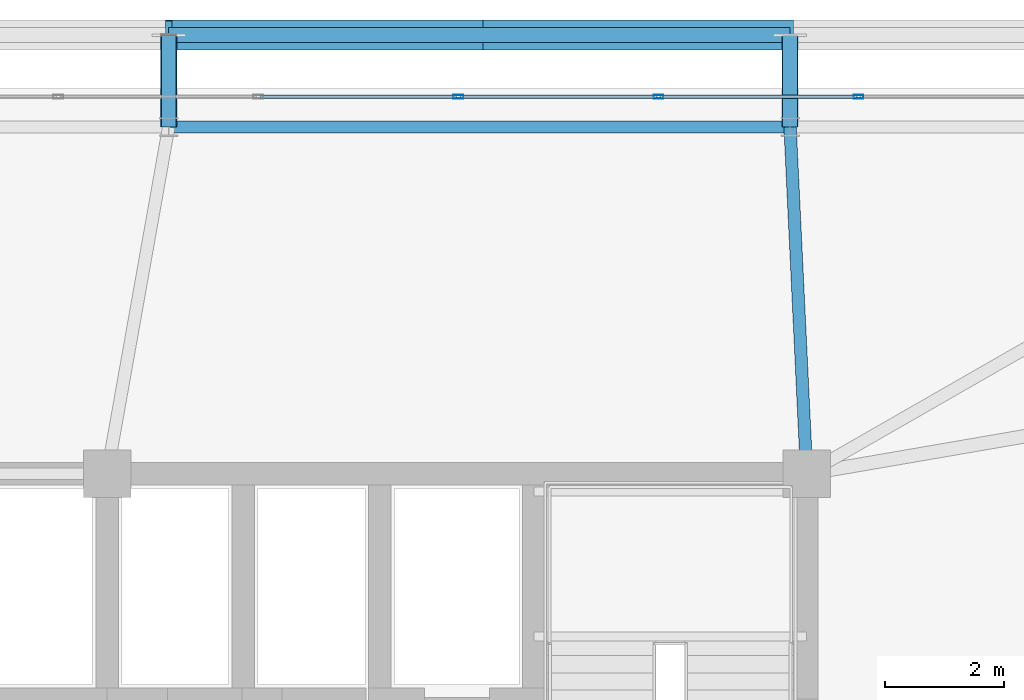
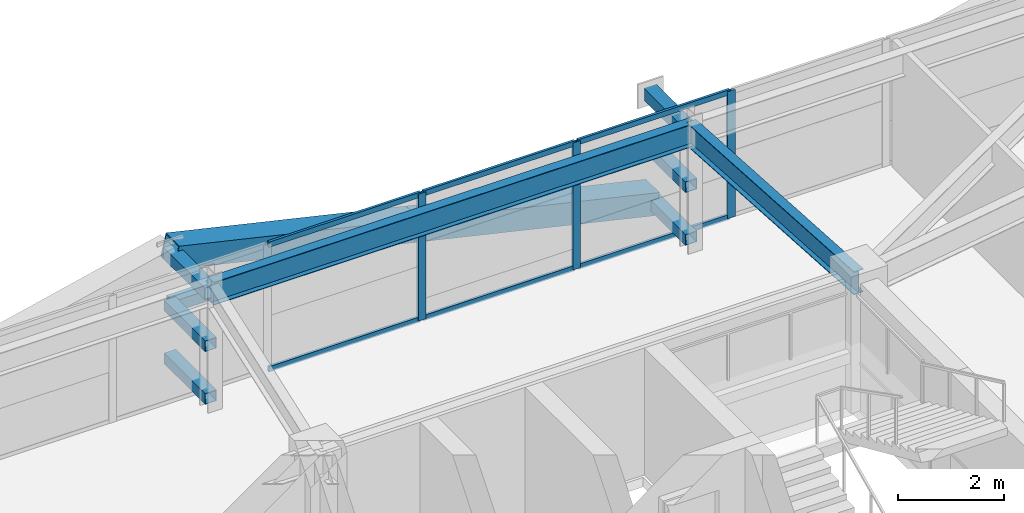
# One storey, part 38 of 58: 18 members, 2 beams, 1 element without a shape of its own.
"""IFC4 building model written with IfcOpenShell, lengths in metres."""

from ifc_helpers import new_model, si_unit, direction, frame, origin, origin_2d, place, context, subcontext, project, spatial, hollow_rectangle, i_section, extrude, source, transform, mapped, material, layer, layer_set, material_profile, profile_set, type_object, element, aggregate, save


model = new_model("IFC4")

# Units and contexts
model_context = context("Model", 3, precision=1e-05, world=origin(), true_north=direction((0.0, 1.0)))
body_context = subcontext(model_context, "Body", "Model", "MODEL_VIEW")
ifc_project = project(units=[si_unit("LENGTHUNIT", "METRE"), si_unit("AREAUNIT", "SQUARE_METRE"), si_unit("VOLUMEUNIT", "CUBIC_METRE"), si_unit("PLANEANGLEUNIT", "RADIAN"), si_unit("MASSUNIT", "GRAM", prefix="KILO")], contexts=[model_context])

# Site, building, storey
site_placement = place(None, origin())
site = spatial("IfcSite", under=ifc_project, at=site_placement, CompositionType="ELEMENT")
building_placement = place(site_placement, origin())
building = spatial("IfcBuilding", under=site, at=building_placement, Name="Taldren Reach Tower", CompositionType="ELEMENT")
storey_placement = place(building_placement, frame((0.0, 0.0, 35.699951171875)))
storey = spatial("IfcBuildingStorey", under=building, at=storey_placement, Name="L10", CompositionType="ELEMENT", Elevation=35.699951171875)

# Beams
ifc_material_1 = material(Name="Steel Gr 350 (350PLUS)", Category="steel")
ifc_material_profile_1 = material_profile(ifc_material_1, i_section(OverallWidth=0.208984375, OverallDepth=0.528076171875, WebThickness=0.009521484375, FlangeThickness=0.01318359375, at=origin_2d()), Name="530UB82.0")
ifc_profile_set_1 = profile_set([ifc_material_profile_1], Name="Steel Gr 350 (350PLUS)")
beam_type_1 = type_object("IfcBeamType", Name="SP-UB530B", PredefinedType="SPANDREL", material=ifc_profile_set_1)
shared_shape_1 = source(origin(), body_context, "Body", "SweptSolid", [
    extrude(i_section(OverallWidth=0.208984375, OverallDepth=0.528076171875, WebThickness=0.009521484375, FlangeThickness=0.01318359375, at=origin_2d()), origin(), (0.0, 0.0, 1.0), 10.47998046875),
])
beam_1_placement = place(storey_placement, frame((50.719970703125, 37.85009765625, 2.666015625), z_axis=(-1.0, 0.0, 0.0), x_axis=(0.0, -1.0, 0.0)))
element("IfcBeam", 1, at=beam_1_placement, inside=storey, type_object=beam_type_1, Name="Perimeter spandrel B1 N5-N4 L10", PredefinedType="SPANDREL", context=body_context, shape_type="MappedRepresentation", body=[
    mapped(shared_shape_1, transform((0.0, 0.0, 0.0), scale=1.0)),
])
ifc_material_profile_2 = material_profile(ifc_material_1, i_section(OverallWidth=0.208984375, OverallDepth=0.532958984375, WebThickness=0.01025390625, FlangeThickness=0.015625, at=origin_2d()), Name="530UB92.4")
ifc_profile_set_2 = profile_set([ifc_material_profile_2], Name="Steel Gr 350 (350PLUS)")
beam_type_2 = type_object("IfcBeamType", Name="BM-UB530A", PredefinedType="BEAM", material=ifc_profile_set_2)
shared_shape_2 = source(origin(), body_context, "Body", "SweptSolid", [
    extrude(i_section(OverallWidth=0.208984375, OverallDepth=0.532958984375, WebThickness=0.01025390625, FlangeThickness=0.015625, at=origin_2d()), origin(), (0.0, 0.0, 1.0), 5.856689453125),
])
beam_2_placement = place(storey_placement, frame((51.0, 32.0, 2.66357421875), z_axis=(-0.047812711672, 0.998856318297, 0.0), x_axis=(-0.998856318297, -0.047812711672, 0.0)))
element("IfcBeam", 2, at=beam_2_placement, inside=storey, type_object=beam_type_2, Name="Primary floor girder B1-N5 L10", PredefinedType="BEAM", context=body_context, shape_type="MappedRepresentation", body=[
    mapped(shared_shape_2, transform((0.0, 0.0, 0.0), scale=1.0)),
])

# Members
ifc_material_2 = material(Name="Steel Gr 450 (C450L0)", Category="steel")
ifc_material_profile_3 = material_profile(ifc_material_2, hollow_rectangle(XDim=0.27490234375, YDim=0.27490234375, WallThickness=0.00927734375, at=origin_2d()), Name="275x275x9.3SHS")
ifc_profile_set_3 = profile_set([ifc_material_profile_3], Name="Steel Gr 450 (C450L0)")
member_type_1 = type_object("IfcMemberType", Name="MB-TIE273", PredefinedType="STRUT", material=ifc_profile_set_3)
shared_shape_3 = source(origin(), body_context, "Body", "SweptSolid", [
    extrude(hollow_rectangle(XDim=0.27490234375, YDim=0.27490234375, WallThickness=0.00927734375, at=origin_2d()), origin(), (0.0, 0.0, 1.0), 1.5498046875),
])
for number, where, z_axis, x_axis, name in (
    (3, (40.239990234375, 37.85009765625, 2.650146484375), (0.0, 1.0, 0.0), (-1.0, 0.0, 0.0), "Exoskeleton diaphragm tie strut B1-N4 L10"),
    (4, (50.719970703125, 37.85009765625, 2.650146484375), (0.0, 1.0, 0.0), (-1.0, 0.0, 0.0), "Exoskeleton diaphragm tie strut B1-N5 L10"),
):
    element("IfcMember", number, at=place(storey_placement, frame(where, z_axis=z_axis, x_axis=x_axis)), inside=storey, type_object=member_type_1, Name=name, PredefinedType="STRUT", context=body_context, shape_type="MappedRepresentation", body=[
        mapped(shared_shape_3, transform((0.0, 0.0, 0.0), scale=1.0)),
    ])
ifc_material_profile_4 = material_profile(ifc_material_2, hollow_rectangle(XDim=0.510009765625, YDim=0.510009765625, WallThickness=0.02001953125, at=origin_2d()), Name="510x510x20.0SHS")
ifc_profile_set_4 = profile_set([ifc_material_profile_4], Name="Steel Gr 450 (C450L0)")
member_type_2 = type_object("IfcMemberType", Name="MB-EXO508", PredefinedType="BRACE", material=ifc_profile_set_4)
shared_shape_4 = source(origin(), body_context, "Body", "SweptSolid", [
    extrude(hollow_rectangle(XDim=0.510009765625, YDim=0.510009765625, WallThickness=0.02001953125, at=origin_2d()), origin(), (0.0, 0.0, 1.0), 5.37890625),
])
for number, where, z_axis, x_axis, name in (
    (5, (50.719970703125, 39.39990234375, 0.219970703125), (-0.97415197996, 0.0, 0.225893603143), (0.0, -1.0, 0.0), "Exoskeleton Diagrid Brace B1-N4 L10"),
    (6, (45.47998046875, 39.39990234375, 1.43505859375), (-0.97415197996, 0.0, 0.225893603143), (0.0, -1.0, 0.0), "Exoskeleton Diagrid Brace B1-N4 L10"),
):
    element("IfcMember", number, at=place(storey_placement, frame(where, z_axis=z_axis, x_axis=x_axis)), inside=storey, type_object=member_type_2, Name=name, PredefinedType="BRACE", context=body_context, shape_type="MappedRepresentation", body=[
        mapped(shared_shape_4, transform((0.0, 0.0, 0.0), scale=1.0)),
    ])
ifc_material_3 = material(Name="Steel Gr 350 (C350L0)", Category="steel")
ifc_material_profile_5 = material_profile(ifc_material_3, hollow_rectangle(XDim=0.25, YDim=0.25, WallThickness=0.010009765625, at=origin_2d()), Name="250x250x10.0SHS")
ifc_profile_set_5 = profile_set([ifc_material_profile_5], Name="Steel Gr 350 (C350L0)")
member_type_3 = type_object("IfcMemberType", Name="MB-POST250", PredefinedType="POST", material=ifc_profile_set_5)
shared_shape_5 = source(origin(), body_context, "Body", "SweptSolid", [
    extrude(hollow_rectangle(XDim=0.25, YDim=0.25, WallThickness=0.010009765625, at=origin_2d()), origin(), (0.0, 0.0, 1.0), 10.47998046875),
])
member_1_placement = place(storey_placement, frame((40.239990234375, 39.39990234375, 1.43505859375), z_axis=(1.0, 0.0, 0.0), x_axis=(0.0, 1.0, 0.0)))
element("IfcMember", 7, at=member_1_placement, inside=storey, type_object=member_type_3, Name="Exoskeleton mid-height ring chord B1-N4 L10", PredefinedType="POST", context=body_context, shape_type="MappedRepresentation", body=[
    mapped(shared_shape_5, transform((0.0, 0.0, 0.0), scale=1.0)),
])
shared_shape_6 = source(origin(), body_context, "Body", "SweptSolid", [
    extrude(hollow_rectangle(XDim=0.25, YDim=0.25, WallThickness=0.010009765625, at=origin_2d()), origin(), (0.0, 0.0, 1.0), 1.5498046875),
])
for number, where, z_axis, x_axis, name in (
    (8, (40.239990234375, 37.85009765625, 0.219970703125), (0.0, 1.0, 0.0), (-1.0, 0.0, 0.0), "Exoskeleton base diaphragm tie strut B1-N4 L10"),
    (9, (50.719970703125, 37.85009765625, 0.219970703125), (0.0, 1.0, 0.0), (-1.0, 0.0, 0.0), "Exoskeleton base diaphragm tie strut B1-N5 L10"),
    (10, (40.239990234375, 37.85009765625, 1.43505859375), (0.0, 1.0, 0.0), (-1.0, 0.0, 0.0), "Exoskeleton mid-tier diaphragm tie B1-N4 L10"),
    (11, (50.719970703125, 37.85009765625, 1.43505859375), (0.0, 1.0, 0.0), (-1.0, 0.0, 0.0), "Exoskeleton mid-tier diaphragm tie B1-N5 L10"),
):
    element("IfcMember", number, at=place(storey_placement, frame(where, z_axis=z_axis, x_axis=x_axis)), inside=storey, type_object=member_type_3, Name=name, PredefinedType="POST", context=body_context, shape_type="MappedRepresentation", body=[
        mapped(shared_shape_6, transform((0.0, 0.0, 0.0), scale=1.0)),
    ])

# Curtain wall, members
ifc_material_4 = material(Name="Aluminium and Low-E Glass Unitised System", Category="aluminium")
ifc_layer = layer(ifc_material_4, 0.159912109375)
ifc_layer_set = layer_set([ifc_layer], Name="Aluminium and Low-E Glass Unitised System")
curtain_wall_type = type_object("IfcCurtainWallType", Name="CW-SYS-2", PredefinedType="NOTDEFINED", material=ifc_layer_set)
curtain_wall_placement = place(storey_placement, origin())
curtain_wall = element("IfcCurtainWall", 12, at=curtain_wall_placement, inside=storey, type_object=curtain_wall_type, Name="Unitised curtain wall CW-L10-N", PredefinedType="NOTDEFINED")
ifc_material_5 = material(Name="Anodised Aluminium 6063-T6", Category="aluminium")
ifc_material_profile_6 = material_profile(ifc_material_5, hollow_rectangle(XDim=0.06494140625, YDim=0.1650390625, WallThickness=0.00390625, at=origin_2d()), Name="ALU-165x65x4RHS")
ifc_profile_set_6 = profile_set([ifc_material_profile_6], Name="Anodised Aluminium 6063-T6")
member_type_4 = type_object("IfcMemberType", Name="CW-MUL-165", PredefinedType="MULLION", material=ifc_profile_set_6)
shared_shape_7 = source(origin(), body_context, "Body", "SweptSolid", [
    extrude(hollow_rectangle(XDim=0.06494140625, YDim=0.1650390625, WallThickness=0.00390625, at=origin_2d()), origin(), (0.0, 0.0, 1.0), 2.929931640625),
])
member_2_placement = place(storey_placement, frame((51.875, 38.360107421875, 0.0), z_axis=(0.0, 0.0, 1.0), x_axis=(0.0, -1.0, 0.0)))
member_2 = element("IfcMember", 13, at=member_2_placement, type_object=member_type_4, Name="CW-2 mullion 4", PredefinedType="MULLION", context=body_context, shape_type="MappedRepresentation", body=[
    mapped(shared_shape_7, transform((0.0, 0.0, 0.0), scale=1.0)),
])
member_3_placement = place(storey_placement, frame((48.5, 38.360107421875, 0.0), z_axis=(0.0, 0.0, 1.0), x_axis=(0.0, -1.0, 0.0)))
member_3 = element("IfcMember", 14, at=member_3_placement, type_object=member_type_4, Name="CW-2 mullion 5", PredefinedType="MULLION", context=body_context, shape_type="MappedRepresentation", body=[
    mapped(shared_shape_7, transform((0.0, 0.0, 0.0), scale=1.0)),
])
member_4_placement = place(storey_placement, frame((45.125, 38.360107421875, 0.0), z_axis=(0.0, 0.0, 1.0), x_axis=(0.0, -1.0, 0.0)))
member_4 = element("IfcMember", 15, at=member_4_placement, type_object=member_type_4, Name="CW-2 mullion 6", PredefinedType="MULLION", context=body_context, shape_type="MappedRepresentation", body=[
    mapped(shared_shape_7, transform((0.0, 0.0, 0.0), scale=1.0)),
])
ifc_material_profile_7 = material_profile(ifc_material_5, hollow_rectangle(XDim=0.054931640625, YDim=0.1201171875, WallThickness=0.0029296875, at=origin_2d()), Name="ALU-120x55x3RHS")
ifc_profile_set_7 = profile_set([ifc_material_profile_7], Name="Anodised Aluminium 6063-T6")
member_type_5 = type_object("IfcMemberType", Name="CW-TRN-135", PredefinedType="USERDEFINED", material=ifc_profile_set_7)
shared_shape_8 = source(origin(), body_context, "Body", "SweptSolid", [
    extrude(hollow_rectangle(XDim=0.054931640625, YDim=0.1201171875, WallThickness=0.0029296875, at=origin_2d()), origin(), (0.0, 0.0, 1.0), 3.31005859375),
])
member_5_placement = place(storey_placement, frame((51.842529296875, 38.360107421875, 0.027587890625), z_axis=(-1.0, 0.0, 0.0), x_axis=(0.0, -1.0, 0.0)))
member_5 = element("IfcMember", 16, at=member_5_placement, type_object=member_type_5, Name="CW-2 transom 4.1", ObjectType="TRANSOM", PredefinedType="USERDEFINED", context=body_context, shape_type="MappedRepresentation", body=[
    mapped(shared_shape_8, transform((0.0, 0.0, 0.0), scale=1.0)),
])
member_6_placement = place(storey_placement, frame((51.842529296875, 38.360107421875, 2.902587890625), z_axis=(-1.0, 0.0, 0.0), x_axis=(0.0, -1.0, 0.0)))
member_6 = element("IfcMember", 17, at=member_6_placement, type_object=member_type_5, Name="CW-2 transom 4.2", ObjectType="TRANSOM", PredefinedType="USERDEFINED", context=body_context, shape_type="MappedRepresentation", body=[
    mapped(shared_shape_8, transform((0.0, 0.0, 0.0), scale=1.0)),
])
member_7_placement = place(storey_placement, frame((48.467529296875, 38.360107421875, 0.027587890625), z_axis=(-1.0, 0.0, 0.0), x_axis=(0.0, -1.0, 0.0)))
member_7 = element("IfcMember", 18, at=member_7_placement, type_object=member_type_5, Name="CW-2 transom 5.1", ObjectType="TRANSOM", PredefinedType="USERDEFINED", context=body_context, shape_type="MappedRepresentation", body=[
    mapped(shared_shape_8, transform((0.0, 0.0, 0.0), scale=1.0)),
])
member_8_placement = place(storey_placement, frame((48.467529296875, 38.360107421875, 2.902587890625), z_axis=(-1.0, 0.0, 0.0), x_axis=(0.0, -1.0, 0.0)))
member_8 = element("IfcMember", 19, at=member_8_placement, type_object=member_type_5, Name="CW-2 transom 5.2", ObjectType="TRANSOM", PredefinedType="USERDEFINED", context=body_context, shape_type="MappedRepresentation", body=[
    mapped(shared_shape_8, transform((0.0, 0.0, 0.0), scale=1.0)),
])
member_9_placement = place(storey_placement, frame((45.092529296875, 38.360107421875, 0.027587890625), z_axis=(-1.0, 0.0, 0.0), x_axis=(0.0, -1.0, 0.0)))
member_9 = element("IfcMember", 20, at=member_9_placement, type_object=member_type_5, Name="CW-2 transom 6.1", ObjectType="TRANSOM", PredefinedType="USERDEFINED", context=body_context, shape_type="MappedRepresentation", body=[
    mapped(shared_shape_8, transform((0.0, 0.0, 0.0), scale=1.0)),
])
member_10_placement = place(storey_placement, frame((45.092529296875, 38.360107421875, 2.902587890625), z_axis=(-1.0, 0.0, 0.0), x_axis=(0.0, -1.0, 0.0)))
member_10 = element("IfcMember", 21, at=member_10_placement, type_object=member_type_5, Name="CW-2 transom 6.2", ObjectType="TRANSOM", PredefinedType="USERDEFINED", context=body_context, shape_type="MappedRepresentation", body=[
    mapped(shared_shape_8, transform((0.0, 0.0, 0.0), scale=1.0)),
])
aggregate(curtain_wall, [member_2, member_3, member_4, member_5, member_6, member_7, member_8, member_9, member_10])

save(model, "model.ifc")
